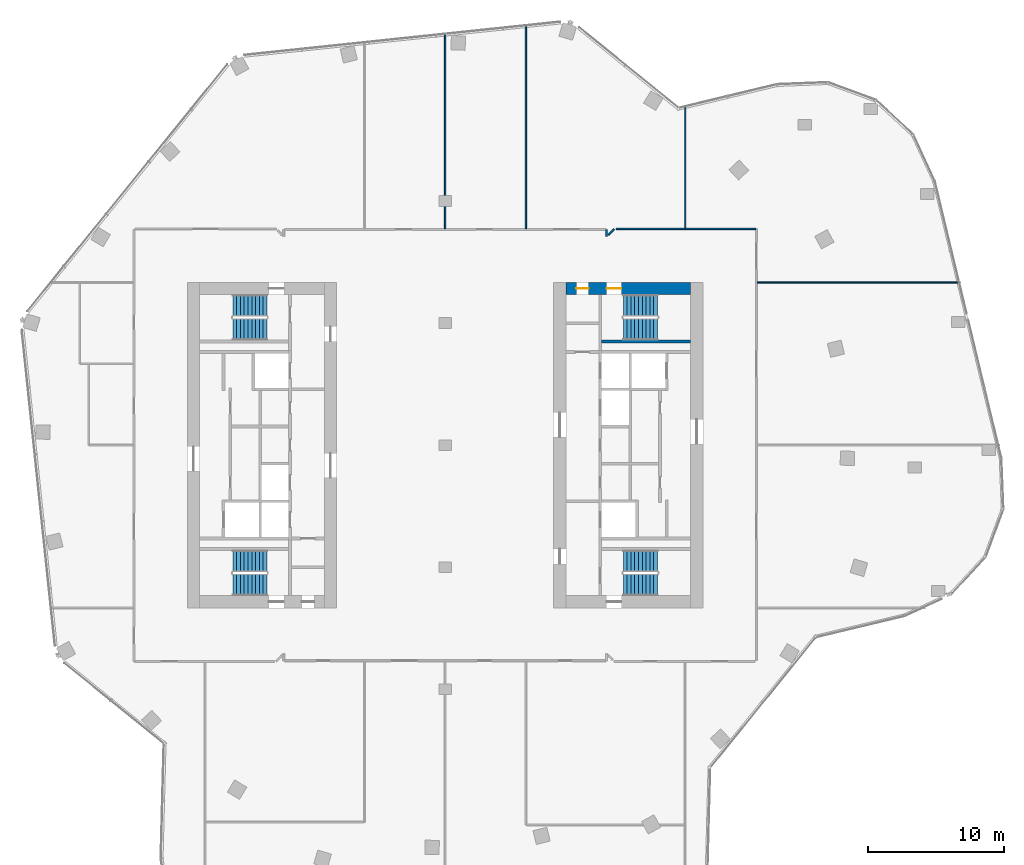
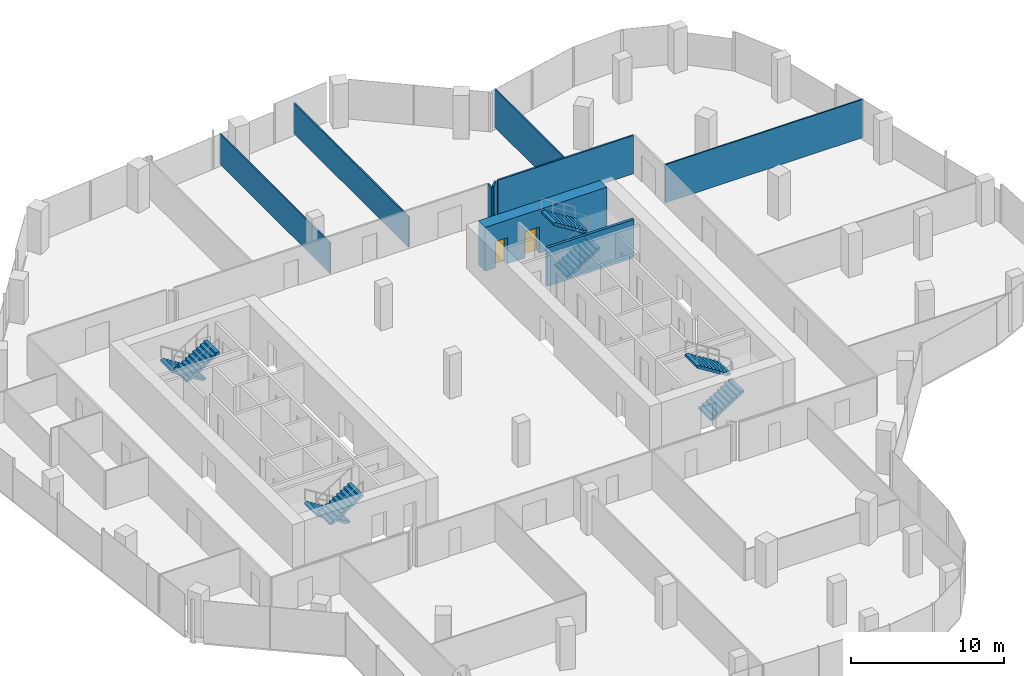
# One storey, part 21 of 23: 9 walls, 8 stair flights, 2 doors, 2 openings, 4 elements without a shape of their own.
"""IFC4 building model written with IfcOpenShell, lengths in metres."""

import ifcopenshell
import ifcopenshell.guid

model = None  # the IFC model being written
_history = None  # IfcOwnerHistory: only IFC2X3 demands one
_inside = {}  # id of a spatial element -> (the spatial element, [elements in it])
_under = {}  # id of a project, library or spatial element -> (it, [spatial elements below it])
_declared = {}  # id of a project -> (the project, [libraries it declares])
_typed = {}  # id of a type object -> (the type object, [elements of that type])
_made_of = {}  # id of a material, layer set ... -> (it, [elements and type objects made of it])


def new_model(schema):
    """Start an empty IFC model of exactly this schema.

    Asked for "IFC4X3", IfcOpenShell would pick the latest addendum, in which some entities
    have other attributes; the version numbers below select the first issue.
    IFC2X3 requires an IfcOwnerHistory on every rooted entity: one is made here for all.
    """
    global model, _history
    if schema == "IFC4X3":
        model = ifcopenshell.file(schema_version=(4, 3, 0, 0))
    else:
        model = ifcopenshell.file(schema=schema)
    _inside.clear()
    _under.clear()
    _declared.clear()
    _typed.clear()
    _made_of.clear()
    _history = None
    if model.schema == "IFC2X3":
        org = make("IfcOrganization", Name="unknown")
        user = make(
            "IfcPersonAndOrganization",
            ThePerson=make("IfcPerson", FamilyName="unknown"),
            TheOrganization=org,
        )
        app = make(
            "IfcApplication",
            ApplicationDeveloper=org,
            Version="unknown",
            ApplicationFullName="unknown",
            ApplicationIdentifier="unknown",
        )
        _history = make(
            "IfcOwnerHistory",
            OwningUser=user,
            OwningApplication=app,
            ChangeAction="ADDED",
            CreationDate=0,
        )
    return model


def make(cls, **values):
    """One entity of the class cls with the attributes given. An attribute that is None is left unset."""
    return model.create_entity(
        cls, **{name: value for name, value in values.items() if value is not None}
    )


def rooted(cls, **values):
    """An entity with a GlobalId (a new one), such as an element, a storey or a relation."""
    return make(cls, GlobalId=ifcopenshell.guid.new(), OwnerHistory=_history, **values)


def si_unit(unit_type, name, prefix=None):
    """IfcSIUnit, for example si_unit("LENGTHUNIT", "METRE", prefix="MILLI")."""
    return make("IfcSIUnit", UnitType=unit_type, Prefix=prefix, Name=name)


def assignment(units):
    """IfcUnitAssignment: the units of a project."""
    return None if units is None else make("IfcUnitAssignment", Units=units)


def point(xyz):
    """IfcCartesianPoint."""
    return None if xyz is None else make("IfcCartesianPoint", Coordinates=xyz)


def direction(xyz):
    """IfcDirection."""
    return None if xyz is None else make("IfcDirection", DirectionRatios=xyz)


def frame(location, z_axis=None, x_axis=None):
    """IfcAxis2Placement3D, a coordinate frame: its origin and axes. An axis left out is left unset."""
    return make(
        "IfcAxis2Placement3D",
        Location=point(location),
        Axis=direction(z_axis),
        RefDirection=direction(x_axis),
    )


def frame_2d(location, x_axis=None):
    """IfcAxis2Placement2D, a coordinate frame in the plane: its origin and x axis."""
    return make(
        "IfcAxis2Placement2D", Location=point(location), RefDirection=direction(x_axis)
    )


def origin():
    """The frame at (0, 0, 0) with its axes left unset."""
    return frame((0.0, 0.0, 0.0))


def place(relative_to, where):
    """IfcLocalPlacement: puts the frame where relative to a parent placement (None: the world)."""
    return make(
        "IfcLocalPlacement", PlacementRelTo=relative_to, RelativePlacement=where
    )


def context(
    kind, dimensions, precision=None, world=None, true_north=None, identifier=None
):
    """IfcGeometricRepresentationContext, for example the 3D "Model" context."""
    return make(
        "IfcGeometricRepresentationContext",
        ContextIdentifier=identifier,
        ContextType=kind,
        CoordinateSpaceDimension=dimensions,
        Precision=precision,
        WorldCoordinateSystem=world,
        TrueNorth=true_north,
    )


def subcontext(parent, identifier, kind, view, scale=None):
    """IfcGeometricRepresentationSubContext, for example "Body" below "Model"."""
    return make(
        "IfcGeometricRepresentationSubContext",
        ContextIdentifier=identifier,
        ContextType=kind,
        ParentContext=parent,
        TargetScale=scale,
        TargetView=view,
    )


def project(units=None, contexts=None):
    """IfcProject with its units and contexts."""
    return rooted(
        "IfcProject",
        Name="project",
        RepresentationContexts=contexts,
        UnitsInContext=assignment(units),
    )


def spatial(cls, under=None, at=None, **own):
    """A site, building, storey or space (cls), placed at a placement, below another one or the project."""
    s = rooted(cls, ObjectPlacement=at, **own)
    if under is not None:
        _under.setdefault(under.id(), (under, []))[1].append(s)
    return s


def polyline(points):
    """IfcPolyline through the points."""
    return make("IfcPolyline", Points=[point(p) for p in points])


def profile(cls, at=None, kind="AREA", **sizes):
    """A parametric profile (cls). Its sizes go by their IFC names, for example OverallWidth=200.0."""
    return make(cls, ProfileType=kind, Position=at, **sizes)


def rectangle(**sizes):
    """IfcRectangleProfileDef."""
    return profile("IfcRectangleProfileDef", **sizes)


def outline(outer, holes=None, kind="AREA"):
    """IfcArbitraryClosedProfileDef: a profile drawn as a closed curve; with holes, ...WithVoids."""
    if holes is None:
        return make("IfcArbitraryClosedProfileDef", ProfileType=kind, OuterCurve=outer)
    return make(
        "IfcArbitraryProfileDefWithVoids",
        ProfileType=kind,
        OuterCurve=outer,
        InnerCurves=holes,
    )


def extrude(swept, where, along, depth):
    """IfcExtrudedAreaSolid: the profile swept, set in the frame where, extruded along a direction by depth."""
    return make(
        "IfcExtrudedAreaSolid",
        SweptArea=swept,
        Position=where,
        ExtrudedDirection=direction(along),
        Depth=depth,
    )


def shape(context_of_items, identifier, shape_type, items):
    """IfcShapeRepresentation: the items that make up one representation, for example the "Body"."""
    return make(
        "IfcShapeRepresentation",
        ContextOfItems=context_of_items,
        RepresentationIdentifier=identifier,
        RepresentationType=shape_type,
        Items=items,
    )


def material(Name=None, Category=None):
    """IfcMaterial."""
    return make("IfcMaterial", Name=Name, Category=Category)


def layer(
    of_material, thickness, ventilated=None, Name=None, Category=None, Priority=None
):
    """IfcMaterialLayer: one layer of a wall or slab, of a material (None: an air gap)."""
    return make(
        "IfcMaterialLayer",
        Material=of_material,
        LayerThickness=thickness,
        IsVentilated=ventilated,
        Name=Name,
        Category=Category,
        Priority=Priority,
    )


def layer_set(layers, Name=None):
    """IfcMaterialLayerSet."""
    return make("IfcMaterialLayerSet", MaterialLayers=layers, LayerSetName=Name)


def made_of(thing, what):
    """Note that an element or type object is made of a material, layer set ...; save() writes the relation."""
    if what is not None:
        _made_of.setdefault(what.id(), (what, []))[1].append(thing)
    return thing


def type_object(cls, material=None, **own):
    """A type object (cls), such as IfcWallType, which elements share."""
    return made_of(rooted(cls, **own), material)


def element(
    cls,
    number,
    at=None,
    inside=None,
    cuts=None,
    type_object=None,
    material=None,
    context=None,
    identifier="Body",
    shape_type=None,
    held_by="IfcProductDefinitionShape",
    body=None,
    shapes=None,
    **own,
):
    """One element of the class cls, such as IfcWall. Its Tag is "e" and its number.

    at: its placement. inside: the storey or other place that contains it. cuts: it is an
    opening in that element (IfcRelVoidsElement). A single representation is given by context,
    identifier, shape_type and body (its items); several are given by shapes. held_by: the class
    of the entity that holds the representations. save() writes the other relations.
    """
    e = rooted(cls, Tag="e%d" % number, ObjectPlacement=at, **own)
    if body is not None:
        shapes = [shape(context, identifier, shape_type, body)]
    if shapes is not None:
        e.Representation = make(held_by, Representations=shapes)
    if inside is not None:
        _inside.setdefault(inside.id(), (inside, []))[1].append(e)
    if cuts is not None:
        rooted(
            "IfcRelVoidsElement", RelatingBuildingElement=cuts, RelatedOpeningElement=e
        )
    if type_object is not None:
        _typed.setdefault(type_object.id(), (type_object, []))[1].append(e)
    return made_of(e, material)


def fill(opening, filler):
    """IfcRelFillsElement: the door or window that sits in an opening."""
    return rooted(
        "IfcRelFillsElement",
        RelatingOpeningElement=opening,
        RelatedBuildingElement=filler,
    )


def aggregate(whole, parts):
    """IfcRelAggregates: a whole, such as a stair, and the parts it consists of."""
    return rooted("IfcRelAggregates", RelatingObject=whole, RelatedObjects=parts)


def save(model, path):
    """Write the relations noted so far, then the file.

    IfcRelAggregates (storeys below a building ...), IfcRelContainedInSpatialStructure (elements
    in a storey), IfcRelDefinesByType, IfcRelAssociatesMaterial and IfcRelDeclares: one each for
    every whole, place, type object, material and project.
    """
    for whole, parts in _under.values():
        aggregate(whole, parts)
    for where, things in _inside.values():
        rooted(
            "IfcRelContainedInSpatialStructure",
            RelatedElements=things,
            RelatingStructure=where,
        )
    for kind, things in _typed.values():
        rooted("IfcRelDefinesByType", RelatedObjects=things, RelatingType=kind)
    for what, things in _made_of.values():
        rooted("IfcRelAssociatesMaterial", RelatedObjects=things, RelatingMaterial=what)
    for by, libraries in _declared.values():
        rooted("IfcRelDeclares", RelatingContext=by, RelatedDefinitions=libraries)
    model.write(path)


model = new_model("IFC4")

# Units and contexts
model_context = context("Model", 3, precision=1e-05, world=origin(), true_north=direction((0.0, 1.0)))
body_context = subcontext(model_context, "Body", "Model", "MODEL_VIEW")
ifc_project = project(units=[si_unit("LENGTHUNIT", "METRE"), si_unit("AREAUNIT", "SQUARE_METRE"), si_unit("VOLUMEUNIT", "CUBIC_METRE"), si_unit("PLANEANGLEUNIT", "RADIAN"), si_unit("MASSUNIT", "GRAM", prefix="KILO")], contexts=[model_context])

# Site, building, storey
site_placement = place(None, origin())
site = spatial("IfcSite", under=ifc_project, at=site_placement, CompositionType="ELEMENT")
building_placement = place(site_placement, origin())
building = spatial("IfcBuilding", under=site, at=building_placement, Name="Orlundy Tower", CompositionType="ELEMENT")
storey_placement = place(building_placement, frame((0.0, 0.0, 224.5)))
storey = spatial("IfcBuildingStorey", under=building, at=storey_placement, Name="L59", CompositionType="ELEMENT", Elevation=224.5)

# Wall, openings, doors
ifc_material_1 = material(Name="Concrete C60/75", Category="concrete")
ifc_layer_1 = layer(ifc_material_1, 0.89990234375)
ifc_layer_set_1 = layer_set([ifc_layer_1], Name="CORE WALL 900 C60/75")
wall_type_1 = type_object("IfcWallType", Name="CORE WALL 900 C60/75", PredefinedType="SHEAR", material=ifc_layer_set_1)
wall_1_placement = place(storey_placement, frame((8.89990234375, 11.550048828125, 0.0), z_axis=(0.0, 0.0, 1.0), x_axis=(1.0, 0.0, 0.0)))
wall_1 = element("IfcWall", 1, at=wall_1_placement, inside=storey, type_object=wall_type_1, Name="Core wall E-N L59", PredefinedType="SHEAR", context=body_context, shape_type="SweptSolid", body=[
    extrude(rectangle(XDim=9.2001953125, YDim=0.89990234375, at=frame_2d((4.60009765625, 0.0))), origin(), (0.0, 0.0, 1.0), 3.5),
])
opening_1_placement = place(wall_1_placement, frame((3.0, 0.0, 0.0)))
opening_1 = element("IfcOpeningElement", 2, at=opening_1_placement, cuts=wall_1, Name="Opening 45062", PredefinedType="OPENING", context=body_context, shape_type="SweptSolid", body=[
    extrude(rectangle(XDim=1.10009765625, YDim=2.10009765625, at=frame_2d((0.550048828125, 1.050048828125))), frame((0.0, 0.4599609375, 0.0), z_axis=(0.0, -1.0, 0.0), x_axis=(1.0, 0.0, 0.0)), (0.0, 0.0, 1.0), 0.919921875),
])
opening_2_placement = place(wall_1_placement, frame((0.77001953125, 0.0, 0.0)))
opening_2 = element("IfcOpeningElement", 3, at=opening_2_placement, cuts=wall_1, Name="Opening 45064", PredefinedType="OPENING", context=body_context, shape_type="SweptSolid", body=[
    extrude(rectangle(XDim=0.89990234375, YDim=2.10009765625, at=frame_2d((0.449951171875, 1.050048828125))), frame((0.0, 0.4599609375, 0.0), z_axis=(0.0, -1.0, 0.0), x_axis=(1.0, 0.0, 0.0)), (0.0, 0.0, 1.0), 0.919921875),
])
ifc_material_2 = material(Name="Timber door set", Category="wood")
door_type_1 = type_object("IfcDoorType", Name="Room Door 900x2100", OperationType="SINGLE_SWING_LEFT", PredefinedType="DOOR", material=ifc_material_2)
door_1_placement = place(opening_2_placement, origin())
door_1 = element("IfcDoor", 4, at=door_1_placement, inside=storey, type_object=door_type_1, Name="Store door 45064", OperationType="SINGLE_SWING_LEFT", OverallHeight=2.10009765625, OverallWidth=0.89990234375, PredefinedType="DOOR", context=body_context, shape_type="SweptSolid", body=[
    extrude(rectangle(XDim=0.89990234375, YDim=2.10009765625, at=frame_2d((0.449951171875, 1.050048828125))), frame((0.0, 0.02490234375, 0.0), z_axis=(0.0, -1.0, 0.0), x_axis=(1.0, 0.0, 0.0)), (0.0, 0.0, 1.0), 0.050048828125),
])
fill(opening_2, door_1)
ifc_material_3 = material(Name="Steel door set", Category="steel")
door_type_2 = type_object("IfcDoorType", Name="Stair Door 1100x2100", OperationType="SINGLE_SWING_LEFT", PredefinedType="DOOR", material=ifc_material_3)
door_2_placement = place(opening_1_placement, origin())
door_2 = element("IfcDoor", 5, at=door_2_placement, inside=storey, type_object=door_type_2, Name="Stair door 45062", OperationType="SINGLE_SWING_LEFT", OverallHeight=2.10009765625, OverallWidth=1.10009765625, PredefinedType="DOOR", context=body_context, shape_type="SweptSolid", body=[
    extrude(rectangle(XDim=1.10009765625, YDim=2.10009765625, at=frame_2d((0.550048828125, 1.050048828125))), frame((0.0, 0.02490234375, 0.0), z_axis=(0.0, -1.0, 0.0), x_axis=(1.0, 0.0, 0.0)), (0.0, 0.0, 1.0), 0.050048828125),
])
fill(opening_1, door_2)

# Walls
ifc_material_4 = material(Name="Gypsum board partition")
ifc_layer_2 = layer(ifc_material_4, 0.10009765625)
ifc_layer_set_2 = layer_set([ifc_layer_2], Name="Floor partition 100")
wall_type_2 = type_object("IfcWallType", Name="Floor partition 100", PredefinedType="PARTITIONING", material=ifc_layer_set_2)
wall_2_placement = place(storey_placement, frame((23.013916015625, 12.0, 0.0), z_axis=(0.0, 0.0, 1.0), x_axis=(1.0, 0.0, 0.0)))
element("IfcWall", 6, at=wall_2_placement, inside=storey, type_object=wall_type_2, Name="wall-int-L59-014", PredefinedType="PARTITIONING", context=body_context, shape_type="SweptSolid", body=[
    extrude(rectangle(XDim=14.984130859375, YDim=0.10009765625, at=frame_2d((7.4921875, 0.0))), origin(), (0.0, 0.0, 1.0), 3.06005859375),
])
wall_3_placement = place(storey_placement, frame((17.705078125, 16.013916015625, 0.0), z_axis=(0.0, 0.0, 1.0), x_axis=(0.0, 1.0, 0.0)))
element("IfcWall", 7, at=wall_3_placement, inside=storey, type_object=wall_type_2, Name="wall-int-L59-021", PredefinedType="PARTITIONING", context=body_context, shape_type="SweptSolid", body=[
    extrude(rectangle(XDim=9.06201171875, YDim=0.10009765625, at=frame_2d((4.531005859375, 0.0))), origin(), (0.0, 0.0, 1.0), 3.06005859375),
])
ifc_material_5 = material(Name="Gypsum board partition")
ifc_layer_3 = layer(ifc_material_5, 0.10009765625)
ifc_layer_set_3 = layer_set([ifc_layer_3], Name="Floor partition 100 B")
wall_type_3 = type_object("IfcWallType", Name="Floor partition 100 B", PredefinedType="PARTITIONING", material=ifc_layer_set_3)
wall_4_placement = place(storey_placement, frame((5.948974609375, 15.962890625, 0.0), z_axis=(0.0, 0.0, 1.0), x_axis=(0.0, 1.0, 0.0)))
element("IfcWall", 8, at=wall_4_placement, inside=storey, type_object=wall_type_3, Name="wall-int-L59-026", PredefinedType="PARTITIONING", context=body_context, shape_type="SweptSolid", body=[
    extrude(rectangle(XDim=15.0791015625, YDim=0.10009765625, at=frame_2d((7.53955078125, 0.0))), origin(), (0.0, 0.0, 1.0), 2.448974609375),
])
wall_5_placement = place(storey_placement, frame((0.0, 15.962890625, 0.0), z_axis=(0.0, 0.0, 1.0), x_axis=(0.0, 1.0, 0.0)))
element("IfcWall", 9, at=wall_5_placement, inside=storey, type_object=wall_type_3, Name="wall-int-L59-028", PredefinedType="PARTITIONING", context=body_context, shape_type="SweptSolid", body=[
    extrude(rectangle(XDim=14.4541015625, YDim=0.10009765625, at=frame_2d((7.22705078125, 0.0))), origin(), (0.0, 0.0, 1.0), 2.448974609375),
])
ifc_material_6 = material(Name="Gypsum board partition, double layer")
ifc_layer_4 = layer(ifc_material_6, 0.125)
ifc_layer_set_4 = layer_set([ifc_layer_4], Name="Floor partition 125")
wall_type_4 = type_object("IfcWallType", Name="Floor partition 125", PredefinedType="PARTITIONING", material=ifc_layer_set_4)
wall_6_placement = place(storey_placement, frame((12.611083984375, 15.950927734375, 0.0), z_axis=(0.0, 0.0, 1.0), x_axis=(1.0, 0.0, 0.0)))
element("IfcWall", 10, at=wall_6_placement, inside=storey, type_object=wall_type_4, Name="wall-int-L59-017", PredefinedType="PARTITIONING", context=body_context, shape_type="SweptSolid", body=[
    extrude(rectangle(XDim=10.27587890625, YDim=0.125, at=frame_2d((5.137939453125, 0.0))), origin(), (0.0, 0.0, 1.0), 3.06005859375),
])
wall_7_placement = place(storey_placement, frame((12.029052734375, 15.507080078125, 0.0), z_axis=(0.0, 0.0, 1.0), x_axis=(0.707106781187, 0.707106781187, 0.0)))
element("IfcWall", 11, at=wall_7_placement, inside=storey, type_object=wall_type_4, Name="wall-int-L59-019", PredefinedType="PARTITIONING", context=body_context, shape_type="SweptSolid", body=[
    extrude(rectangle(XDim=0.599365234375, YDim=0.125, at=frame_2d((0.2998046875, 0.0))), origin(), (0.0, 0.0, 1.0), 3.06005859375),
])
wall_8_placement = place(storey_placement, frame((11.90087890625, 15.39208984375, 0.0), z_axis=(0.0, 0.0, 1.0), x_axis=(0.0, 1.0, 0.0)))
element("IfcWall", 12, at=wall_8_placement, inside=storey, type_object=wall_type_4, Name="wall-int-L59-024", PredefinedType="PARTITIONING", context=body_context, shape_type="SweptSolid", body=[
    extrude(rectangle(XDim=0.5078125, YDim=0.125, at=frame_2d((0.25390625, 0.0))), origin(), (0.0, 0.0, 1.0), 3.06005859375),
])
ifc_material_7 = material(Name="Concrete C40/50", Category="concrete")
ifc_layer_5 = layer(ifc_material_7, 0.199951171875)
ifc_layer_set_5 = layer_set([ifc_layer_5], Name="Load-bearing Shaft Wall 200")
wall_type_5 = type_object("IfcWallType", Name="Load-bearing Shaft Wall 200", PredefinedType="SOLIDWALL", material=ifc_layer_set_5)
wall_9_placement = place(storey_placement, frame((11.5400390625, 7.64990234375, 0.0), z_axis=(0.0, 0.0, 1.0), x_axis=(1.0, 0.0, 0.0)))
element("IfcWall", 13, at=wall_9_placement, inside=storey, type_object=wall_type_5, Name="Shaft wall E45-stair-side-s", PredefinedType="SOLIDWALL", context=body_context, shape_type="SweptSolid", body=[
    extrude(rectangle(XDim=6.56005859375, YDim=0.199951171875, at=frame_2d((3.280029296875, 0.0))), origin(), (0.0, 0.0, 1.0), 3.080078125),
])

# Stair, stair flights
ifc_material_8 = material(Name="Concrete C50/60", Category="concrete")
stair_type = type_object("IfcStairType", Name="Exit Stair 20 risers", PredefinedType="HALF_TURN_STAIR", material=ifc_material_8)
stair_1_placement = place(storey_placement, origin())
stair_1 = element("IfcStair", 14, at=stair_1_placement, inside=storey, type_object=stair_type, Name="L59 Exit Stair ST-W1", PredefinedType="HALF_TURN_STAIR")
ifc_material_9 = material(Name="Concrete C50/60", Category="concrete")
stair_flight_type = type_object("IfcStairFlightType", Name="Stair Flight 10 risers", PredefinedType="STRAIGHT", material=ifc_material_9)
stair_flight_1_placement = place(storey_placement, frame((-13.139892578125, 10.300048828125, 0.0), z_axis=(0.0, 0.0, 1.0), x_axis=(-1.0, 0.0, 0.0)))
stair_flight_1 = element("IfcStairFlight", 15, at=stair_flight_1_placement, type_object=stair_flight_type, Name="ST-W1 flight 1", NumberOfRisers=10, NumberOfTreads=9, PredefinedType="STRAIGHT", RiserHeight=0.175, TreadLength=0.28, context=body_context, shape_type="SweptSolid", body=[
    extrude(outline(polyline([(0.0, 0.0), (0.0, 0.175048828125), (0.280029296875, 0.175048828125), (0.280029296875, 0.35009765625), (0.56005859375, 0.35009765625), (0.56005859375, 0.52490234375), (0.840087890625, 0.52490234375), (0.840087890625, 0.699951171875), (1.1201171875, 0.699951171875), (1.1201171875, 0.875), (1.39990234375, 0.875), (1.39990234375, 1.050048828125), (1.679931640625, 1.050048828125), (1.679931640625, 1.22509765625), (1.9599609375, 1.22509765625), (1.9599609375, 1.39990234375), (2.239990234375, 1.39990234375), (2.239990234375, 1.574951171875), (2.52001953125, 1.574951171875), (2.52001953125, 1.75), (2.52001953125, 1.398193359375), (0.28271484375, 0.0), (0.0, 0.0)])), frame((0.0, 0.800048828125, 0.0), z_axis=(0.0, -1.0, 0.0), x_axis=(1.0, 0.0, 0.0)), (0.0, 0.0, 1.0), 1.60009765625),
])
stair_flight_2_placement = place(storey_placement, frame((-15.659912109375, 8.550048828125, 1.75), z_axis=(0.0, 0.0, 1.0), x_axis=(1.0, 0.0, 0.0)))
stair_flight_2 = element("IfcStairFlight", 16, at=stair_flight_2_placement, type_object=stair_flight_type, Name="ST-W1 flight 2", NumberOfRisers=10, NumberOfTreads=9, PredefinedType="STRAIGHT", RiserHeight=0.175, TreadLength=0.28, context=body_context, shape_type="SweptSolid", body=[
    extrude(outline(polyline([(0.0, 0.0), (0.0, 0.175048828125), (0.280029296875, 0.175048828125), (0.280029296875, 0.35009765625), (0.56005859375, 0.35009765625), (0.56005859375, 0.52490234375), (0.840087890625, 0.52490234375), (0.840087890625, 0.699951171875), (1.1201171875, 0.699951171875), (1.1201171875, 0.875), (1.39990234375, 0.875), (1.39990234375, 1.050048828125), (1.679931640625, 1.050048828125), (1.679931640625, 1.22509765625), (1.9599609375, 1.22509765625), (1.9599609375, 1.39990234375), (2.239990234375, 1.39990234375), (2.239990234375, 1.574951171875), (2.52001953125, 1.574951171875), (2.52001953125, 1.75), (2.52001953125, 1.398193359375), (0.28271484375, 0.0), (0.0, 0.0)])), frame((0.0, 0.800048828125, 0.0), z_axis=(0.0, -1.0, 0.0), x_axis=(1.0, 0.0, 0.0)), (0.0, 0.0, 1.0), 1.60009765625),
])
aggregate(stair_1, [stair_flight_1, stair_flight_2])

stair_2_placement = place(storey_placement, origin())
stair_2 = element("IfcStair", 17, at=stair_2_placement, inside=storey, type_object=stair_type, Name="L59 Exit Stair ST-W2", PredefinedType="HALF_TURN_STAIR")
stair_flight_3_placement = place(storey_placement, frame((-13.139892578125, -8.550048828125, 0.0), z_axis=(0.0, 0.0, 1.0), x_axis=(-1.0, 0.0, 0.0)))
stair_flight_3 = element("IfcStairFlight", 18, at=stair_flight_3_placement, type_object=stair_flight_type, Name="ST-W2 flight 1", NumberOfRisers=10, NumberOfTreads=9, PredefinedType="STRAIGHT", RiserHeight=0.175, TreadLength=0.28, context=body_context, shape_type="SweptSolid", body=[
    extrude(outline(polyline([(0.0, 0.0), (0.0, 0.175048828125), (0.280029296875, 0.175048828125), (0.280029296875, 0.35009765625), (0.56005859375, 0.35009765625), (0.56005859375, 0.52490234375), (0.840087890625, 0.52490234375), (0.840087890625, 0.699951171875), (1.1201171875, 0.699951171875), (1.1201171875, 0.875), (1.39990234375, 0.875), (1.39990234375, 1.050048828125), (1.679931640625, 1.050048828125), (1.679931640625, 1.22509765625), (1.9599609375, 1.22509765625), (1.9599609375, 1.39990234375), (2.239990234375, 1.39990234375), (2.239990234375, 1.574951171875), (2.52001953125, 1.574951171875), (2.52001953125, 1.75), (2.52001953125, 1.398193359375), (0.28271484375, 0.0), (0.0, 0.0)])), frame((0.0, 0.800048828125, 0.0), z_axis=(0.0, -1.0, 0.0), x_axis=(1.0, 0.0, 0.0)), (0.0, 0.0, 1.0), 1.60009765625),
])
stair_flight_4_placement = place(storey_placement, frame((-15.659912109375, -10.300048828125, 1.75), z_axis=(0.0, 0.0, 1.0), x_axis=(1.0, 0.0, 0.0)))
stair_flight_4 = element("IfcStairFlight", 19, at=stair_flight_4_placement, type_object=stair_flight_type, Name="ST-W2 flight 2", NumberOfRisers=10, NumberOfTreads=9, PredefinedType="STRAIGHT", RiserHeight=0.175, TreadLength=0.28, context=body_context, shape_type="SweptSolid", body=[
    extrude(outline(polyline([(0.0, 0.0), (0.0, 0.175048828125), (0.280029296875, 0.175048828125), (0.280029296875, 0.35009765625), (0.56005859375, 0.35009765625), (0.56005859375, 0.52490234375), (0.840087890625, 0.52490234375), (0.840087890625, 0.699951171875), (1.1201171875, 0.699951171875), (1.1201171875, 0.875), (1.39990234375, 0.875), (1.39990234375, 1.050048828125), (1.679931640625, 1.050048828125), (1.679931640625, 1.22509765625), (1.9599609375, 1.22509765625), (1.9599609375, 1.39990234375), (2.239990234375, 1.39990234375), (2.239990234375, 1.574951171875), (2.52001953125, 1.574951171875), (2.52001953125, 1.75), (2.52001953125, 1.398193359375), (0.28271484375, 0.0), (0.0, 0.0)])), frame((0.0, 0.800048828125, 0.0), z_axis=(0.0, -1.0, 0.0), x_axis=(1.0, 0.0, 0.0)), (0.0, 0.0, 1.0), 1.60009765625),
])
aggregate(stair_2, [stair_flight_3, stair_flight_4])

stair_3_placement = place(storey_placement, origin())
stair_3 = element("IfcStair", 20, at=stair_3_placement, inside=storey, type_object=stair_type, Name="L59 Exit Stair ST-E1", PredefinedType="HALF_TURN_STAIR")
stair_flight_5_placement = place(storey_placement, frame((13.139892578125, -10.300048828125, 0.0), z_axis=(0.0, 0.0, 1.0), x_axis=(1.0, 0.0, 0.0)))
stair_flight_5 = element("IfcStairFlight", 21, at=stair_flight_5_placement, type_object=stair_flight_type, Name="ST-E1 flight 1", NumberOfRisers=10, NumberOfTreads=9, PredefinedType="STRAIGHT", RiserHeight=0.175, TreadLength=0.28, context=body_context, shape_type="SweptSolid", body=[
    extrude(outline(polyline([(0.0, 0.0), (0.0, 0.175048828125), (0.280029296875, 0.175048828125), (0.280029296875, 0.35009765625), (0.56005859375, 0.35009765625), (0.56005859375, 0.52490234375), (0.840087890625, 0.52490234375), (0.840087890625, 0.699951171875), (1.1201171875, 0.699951171875), (1.1201171875, 0.875), (1.39990234375, 0.875), (1.39990234375, 1.050048828125), (1.679931640625, 1.050048828125), (1.679931640625, 1.22509765625), (1.9599609375, 1.22509765625), (1.9599609375, 1.39990234375), (2.239990234375, 1.39990234375), (2.239990234375, 1.574951171875), (2.52001953125, 1.574951171875), (2.52001953125, 1.75), (2.52001953125, 1.398193359375), (0.28271484375, 0.0), (0.0, 0.0)])), frame((0.0, 0.800048828125, 0.0), z_axis=(0.0, -1.0, 0.0), x_axis=(1.0, 0.0, 0.0)), (0.0, 0.0, 1.0), 1.60009765625),
])
stair_flight_6_placement = place(storey_placement, frame((15.659912109375, -8.550048828125, 1.75), z_axis=(0.0, 0.0, 1.0), x_axis=(-1.0, 0.0, 0.0)))
stair_flight_6 = element("IfcStairFlight", 22, at=stair_flight_6_placement, type_object=stair_flight_type, Name="ST-E1 flight 2", NumberOfRisers=10, NumberOfTreads=9, PredefinedType="STRAIGHT", RiserHeight=0.175, TreadLength=0.28, context=body_context, shape_type="SweptSolid", body=[
    extrude(outline(polyline([(0.0, 0.0), (0.0, 0.175048828125), (0.280029296875, 0.175048828125), (0.280029296875, 0.35009765625), (0.56005859375, 0.35009765625), (0.56005859375, 0.52490234375), (0.840087890625, 0.52490234375), (0.840087890625, 0.699951171875), (1.1201171875, 0.699951171875), (1.1201171875, 0.875), (1.39990234375, 0.875), (1.39990234375, 1.050048828125), (1.679931640625, 1.050048828125), (1.679931640625, 1.22509765625), (1.9599609375, 1.22509765625), (1.9599609375, 1.39990234375), (2.239990234375, 1.39990234375), (2.239990234375, 1.574951171875), (2.52001953125, 1.574951171875), (2.52001953125, 1.75), (2.52001953125, 1.398193359375), (0.28271484375, 0.0), (0.0, 0.0)])), frame((0.0, 0.800048828125, 0.0), z_axis=(0.0, -1.0, 0.0), x_axis=(1.0, 0.0, 0.0)), (0.0, 0.0, 1.0), 1.60009765625),
])
aggregate(stair_3, [stair_flight_5, stair_flight_6])

stair_4_placement = place(storey_placement, origin())
stair_4 = element("IfcStair", 23, at=stair_4_placement, inside=storey, type_object=stair_type, Name="L59 Exit Stair ST-E2", PredefinedType="HALF_TURN_STAIR")
stair_flight_7_placement = place(storey_placement, frame((13.139892578125, 8.550048828125, 0.0), z_axis=(0.0, 0.0, 1.0), x_axis=(1.0, 0.0, 0.0)))
stair_flight_7 = element("IfcStairFlight", 24, at=stair_flight_7_placement, type_object=stair_flight_type, Name="ST-E2 flight 1", NumberOfRisers=10, NumberOfTreads=9, PredefinedType="STRAIGHT", RiserHeight=0.175, TreadLength=0.28, context=body_context, shape_type="SweptSolid", body=[
    extrude(outline(polyline([(0.0, 0.0), (0.0, 0.175048828125), (0.280029296875, 0.175048828125), (0.280029296875, 0.35009765625), (0.56005859375, 0.35009765625), (0.56005859375, 0.52490234375), (0.840087890625, 0.52490234375), (0.840087890625, 0.699951171875), (1.1201171875, 0.699951171875), (1.1201171875, 0.875), (1.39990234375, 0.875), (1.39990234375, 1.050048828125), (1.679931640625, 1.050048828125), (1.679931640625, 1.22509765625), (1.9599609375, 1.22509765625), (1.9599609375, 1.39990234375), (2.239990234375, 1.39990234375), (2.239990234375, 1.574951171875), (2.52001953125, 1.574951171875), (2.52001953125, 1.75), (2.52001953125, 1.398193359375), (0.28271484375, 0.0), (0.0, 0.0)])), frame((0.0, 0.800048828125, 0.0), z_axis=(0.0, -1.0, 0.0), x_axis=(1.0, 0.0, 0.0)), (0.0, 0.0, 1.0), 1.60009765625),
])
stair_flight_8_placement = place(storey_placement, frame((15.659912109375, 10.300048828125, 1.75), z_axis=(0.0, 0.0, 1.0), x_axis=(-1.0, 0.0, 0.0)))
stair_flight_8 = element("IfcStairFlight", 25, at=stair_flight_8_placement, type_object=stair_flight_type, Name="ST-E2 flight 2", NumberOfRisers=10, NumberOfTreads=9, PredefinedType="STRAIGHT", RiserHeight=0.175, TreadLength=0.28, context=body_context, shape_type="SweptSolid", body=[
    extrude(outline(polyline([(0.0, 0.0), (0.0, 0.175048828125), (0.280029296875, 0.175048828125), (0.280029296875, 0.35009765625), (0.56005859375, 0.35009765625), (0.56005859375, 0.52490234375), (0.840087890625, 0.52490234375), (0.840087890625, 0.699951171875), (1.1201171875, 0.699951171875), (1.1201171875, 0.875), (1.39990234375, 0.875), (1.39990234375, 1.050048828125), (1.679931640625, 1.050048828125), (1.679931640625, 1.22509765625), (1.9599609375, 1.22509765625), (1.9599609375, 1.39990234375), (2.239990234375, 1.39990234375), (2.239990234375, 1.574951171875), (2.52001953125, 1.574951171875), (2.52001953125, 1.75), (2.52001953125, 1.398193359375), (0.28271484375, 0.0), (0.0, 0.0)])), frame((0.0, 0.800048828125, 0.0), z_axis=(0.0, -1.0, 0.0), x_axis=(1.0, 0.0, 0.0)), (0.0, 0.0, 1.0), 1.60009765625),
])
aggregate(stair_4, [stair_flight_7, stair_flight_8])

save(model, "model.ifc")
